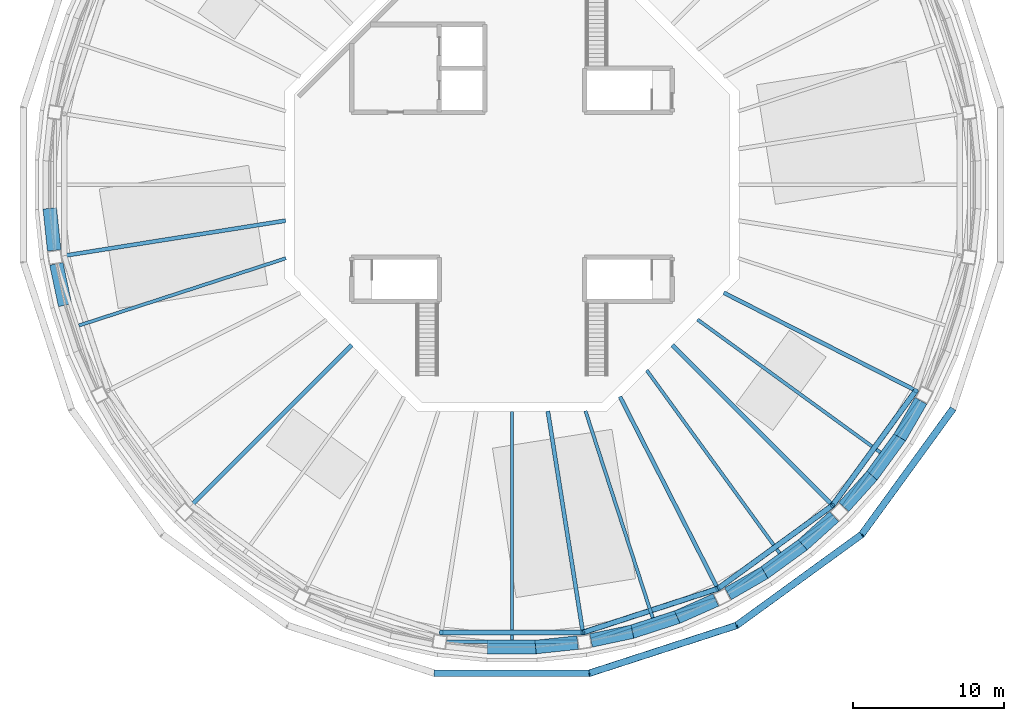
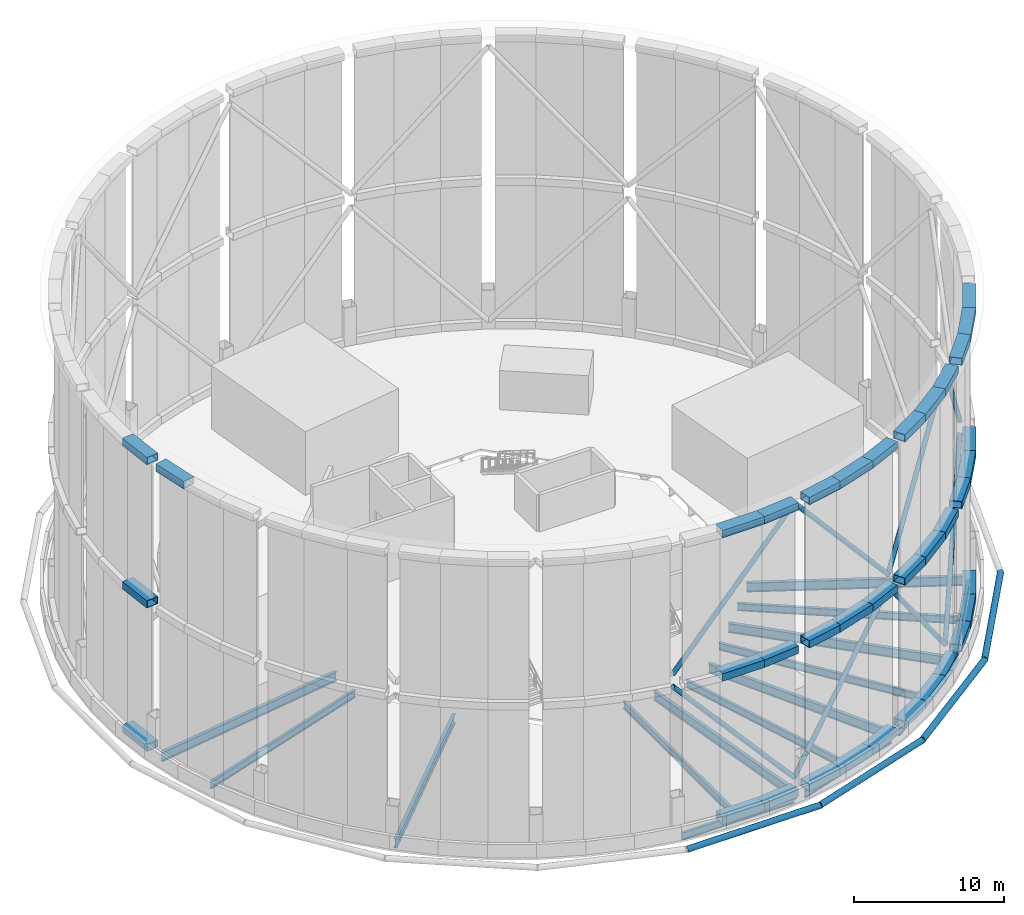
# One storey, part 2 of 11: 52 beams, 12 members.
"""IFC4 building model written with IfcOpenShell, lengths in metres."""

from ifc_helpers import new_model, si_unit, direction, frame, origin, origin_2d, place, context, subcontext, project, spatial, hollow_rectangle, circle, hollow_circle, i_section, extrude, material, material_profile, profile_set, type_object, element, save


model = new_model("IFC4")

# Units and contexts
model_context = context("Model", 3, precision=1e-05, world=origin(), true_north=direction((0.0, 1.0)))
body_context = subcontext(model_context, "Body", "Model", "MODEL_VIEW")
ifc_project = project(units=[si_unit("LENGTHUNIT", "METRE"), si_unit("AREAUNIT", "SQUARE_METRE"), si_unit("VOLUMEUNIT", "CUBIC_METRE"), si_unit("PLANEANGLEUNIT", "RADIAN"), si_unit("MASSUNIT", "GRAM", prefix="KILO")], contexts=[model_context])

# Site, building, storey
site_placement = place(None, origin())
site = spatial("IfcSite", under=ifc_project, at=site_placement, CompositionType="ELEMENT")
building_placement = place(site_placement, origin())
building = spatial("IfcBuilding", under=site, at=building_placement, Name="Entoto Ring Tower", CompositionType="ELEMENT")
storey_placement = place(building_placement, frame((0.0, 0.0, 415.0)))
storey = spatial("IfcBuildingStorey", under=building, at=storey_placement, Name="ROOF", CompositionType="ELEMENT", Elevation=415.0)

# Members
ifc_material_1 = material(Name="Steel S355", Category="steel")
ifc_material_profile_1 = material_profile(ifc_material_1, hollow_circle(Radius=0.177490234375, WallThickness=0.01611328125, at=origin_2d()), Name="Crown frame brace 355.6 x 16 mm tube")
ifc_profile_set_1 = profile_set([ifc_material_profile_1], Name="Steel S355")
member_type_1 = type_object("IfcMemberType", Name="Crown frame brace 355.6 x 16 mm tube", PredefinedType="BRACE", material=ifc_profile_set_1)
member_1_placement = place(storey_placement, frame((85.310791015625, 50.39404296875, 11.5), z_axis=(0.659139705863, 0.0, -0.752020510461), x_axis=(0.0, 1.0, 0.0)))
element("IfcMember", 1, at=member_1_placement, inside=storey, type_object=member_type_1, Name="CROWN FRAME BRACE 1-15", PredefinedType="BRACE", context=body_context, shape_type="SweptSolid", body=[
    extrude(hollow_circle(Radius=0.177490234375, WallThickness=0.01611328125, at=origin_2d()), origin(), (0.0, 0.0, 1.0), 14.228271484375),
])
member_2_placement = place(storey_placement, frame((94.689208984375, 50.39404296875, 0.800048828125), z_axis=(0.626871162261, 0.203677789835, 0.752029190825), x_axis=(-0.309010136024, 0.951058744681, 0.0)))
element("IfcMember", 2, at=member_2_placement, inside=storey, type_object=member_type_1, Name="CROWN FRAME BRACE 1-16", PredefinedType="BRACE", context=body_context, shape_type="SweptSolid", body=[
    extrude(hollow_circle(Radius=0.177490234375, WallThickness=0.01611328125, at=origin_2d()), origin(), (0.0, 0.0, 1.0), 14.22802734375),
])
for number, where, z_axis, x_axis, name in (
    (3, (103.6083984375, 53.2919921875, 11.5), (0.533248763598, 0.387431986141, -0.752025406643), (-0.587789305023, 0.809014049878, 0.0), "CROWN FRAME BRACE 1-17"),
    (4, (111.195556640625, 58.804443359375, 0.800048828125), (0.387431986141, 0.533248763598, 0.752025406643), (-0.809014049878, 0.587789305023, 0.0), "CROWN FRAME BRACE 1-18"),
    (5, (85.310791015625, 50.39404296875, 12.5), (0.659139705863, 0.0, 0.752020510461), (0.0, 1.0, 0.0), "CROWN FRAME BRACE 2-15"),
):
    element("IfcMember", number, at=place(storey_placement, frame(where, z_axis=z_axis, x_axis=x_axis)), inside=storey, type_object=member_type_1, Name=name, PredefinedType="BRACE", context=body_context, shape_type="SweptSolid", body=[
        extrude(hollow_circle(Radius=0.177490234375, WallThickness=0.01611328125, at=origin_2d()), origin(), (0.0, 0.0, 1.0), 14.228271484375),
    ])
member_3_placement = place(storey_placement, frame((94.689208984375, 50.39404296875, 23.199951171875), z_axis=(0.626871162261, 0.203677789835, -0.752029190825), x_axis=(-0.309010136024, 0.951058744681, 0.0)))
element("IfcMember", 6, at=member_3_placement, inside=storey, type_object=member_type_1, Name="CROWN FRAME BRACE 2-16", PredefinedType="BRACE", context=body_context, shape_type="SweptSolid", body=[
    extrude(hollow_circle(Radius=0.177490234375, WallThickness=0.01611328125, at=origin_2d()), origin(), (0.0, 0.0, 1.0), 14.22802734375),
])
for number, where, z_axis, x_axis, name in (
    (7, (103.6083984375, 53.2919921875, 12.5), (0.533248763598, 0.387431986141, 0.752025406643), (-0.587789305023, 0.809014049878, 0.0), "CROWN FRAME BRACE 2-17"),
    (8, (111.195556640625, 58.804443359375, 23.199951171875), (0.387431986141, 0.533248763598, -0.752025406643), (-0.809014049878, 0.587789305023, 0.0), "CROWN FRAME BRACE 2-18"),
):
    element("IfcMember", number, at=place(storey_placement, frame(where, z_axis=z_axis, x_axis=x_axis)), inside=storey, type_object=member_type_1, Name=name, PredefinedType="BRACE", context=body_context, shape_type="SweptSolid", body=[
        extrude(hollow_circle(Radius=0.177490234375, WallThickness=0.01611328125, at=origin_2d()), origin(), (0.0, 0.0, 1.0), 14.228271484375),
    ])

# Beams
ifc_material_2 = material(Name="Steel S355", Category="steel")
ifc_material_profile_2 = material_profile(ifc_material_2, hollow_rectangle(XDim=0.89990234375, YDim=0.60009765625, WallThickness=0.0400390625, at=origin_2d()), Name="Crown frame ring beam 900 x 600 x 40 mm")
ifc_profile_set_2 = profile_set([ifc_material_profile_2], Name="Steel S355")
beam_type_1 = type_object("IfcBeamType", Name="Crown frame ring beam 900 x 600 x 40 mm", PredefinedType="BEAM", material=ifc_profile_set_2)
beam_1_placement = place(storey_placement, frame((59.4375, 78.44189453125, 0.300048828125), z_axis=(0.104498462309, -0.994525048139, 0.0), x_axis=(0.994525048139, 0.104498462309, 0.0)))
element("IfcBeam", 9, at=beam_1_placement, inside=storey, type_object=beam_type_1, Name="CROWN FRAME BOTTOM RING 29", PredefinedType="BEAM", context=body_context, shape_type="SweptSolid", body=[
    extrude(hollow_rectangle(XDim=0.89990234375, YDim=0.60009765625, WallThickness=0.0400390625, at=origin_2d()), origin(), (0.0, 0.0, 1.0), 2.796630859375),
])
beam_2_placement = place(storey_placement, frame((88.35498046875, 49.44189453125, 0.300048828125), z_axis=(1.0, 0.0, 0.0), x_axis=(0.0, 1.0, 0.0)))
element("IfcBeam", 10, at=beam_2_placement, inside=storey, type_object=beam_type_1, Name="CROWN FRAME BOTTOM RING 43", PredefinedType="BEAM", context=body_context, shape_type="SweptSolid", body=[
    extrude(hollow_rectangle(XDim=0.89990234375, YDim=0.60009765625, WallThickness=0.0400390625, at=origin_2d()), origin(), (0.0, 0.0, 1.0), 3.2900390625),
])
beam_3_placement = place(storey_placement, frame((91.55810546875, 49.4375, 0.300048828125), z_axis=(0.994525048139, 0.104498462309, 0.0), x_axis=(-0.104498462309, 0.994525048139, 0.0)))
element("IfcBeam", 11, at=beam_3_placement, inside=storey, type_object=beam_type_1, Name="CROWN FRAME BOTTOM RING 44", PredefinedType="BEAM", context=body_context, shape_type="SweptSolid", body=[
    extrude(hollow_rectangle(XDim=0.89990234375, YDim=0.60009765625, WallThickness=0.0400390625, at=origin_2d()), origin(), (0.0, 0.0, 1.0), 2.796630859375),
])
beam_4_placement = place(storey_placement, frame((95.22705078125, 49.870361328125, 0.300048828125), z_axis=(0.978156188249, 0.207871285632, 0.0), x_axis=(-0.207871285632, 0.978156188249, 0.0)))
element("IfcBeam", 12, at=beam_4_placement, inside=storey, type_object=beam_type_1, Name="CROWN FRAME BOTTOM RING 45", PredefinedType="BEAM", context=body_context, shape_type="SweptSolid", body=[
    extrude(hollow_rectangle(XDim=0.89990234375, YDim=0.60009765625, WallThickness=0.0400390625, at=origin_2d()), origin(), (0.0, 0.0, 1.0), 2.79638671875),
])
beam_5_placement = place(storey_placement, frame((97.87841796875, 50.42919921875, 0.300048828125), z_axis=(0.951067326899, 0.308983720778, 0.0), x_axis=(-0.308983720778, 0.951067326899, 0.0)))
element("IfcBeam", 13, at=beam_5_placement, inside=storey, type_object=beam_type_1, Name="CROWN FRAME BOTTOM RING 46", PredefinedType="BEAM", context=body_context, shape_type="SweptSolid", body=[
    extrude(hollow_rectangle(XDim=0.89990234375, YDim=0.60009765625, WallThickness=0.0400390625, at=origin_2d()), origin(), (0.0, 0.0, 1.0), 3.2900390625),
])
for number, where, z_axis, x_axis, name in (
    (14, (100.92626953125, 51.414794921875, 0.300048828125), (0.913541336583, 0.406745899001, 0.0), (-0.406745899001, 0.913541336583, 0.0), "CROWN FRAME BOTTOM RING 47"),
    (15, (104.28173828125, 52.960205078125, 0.300048828125), (0.866037299004, 0.49997939631, 0.0), (-0.49997939631, 0.866037299004, 0.0), "CROWN FRAME BOTTOM RING 48"),
):
    element("IfcBeam", number, at=place(storey_placement, frame(where, z_axis=z_axis, x_axis=x_axis)), inside=storey, type_object=beam_type_1, Name=name, PredefinedType="BEAM", context=body_context, shape_type="SweptSolid", body=[
        extrude(hollow_rectangle(XDim=0.89990234375, YDim=0.60009765625, WallThickness=0.0400390625, at=origin_2d()), origin(), (0.0, 0.0, 1.0), 2.79638671875),
    ])
beam_6_placement = place(storey_placement, frame((106.630615234375, 54.31103515625, 0.300048828125), z_axis=(0.809034396265, 0.5877612999, 0.0), x_axis=(-0.5877612999, 0.809034396265, 0.0)))
element("IfcBeam", 16, at=beam_6_placement, inside=storey, type_object=beam_type_1, Name="CROWN FRAME BOTTOM RING 49", PredefinedType="BEAM", context=body_context, shape_type="SweptSolid", body=[
    extrude(hollow_rectangle(XDim=0.89990234375, YDim=0.60009765625, WallThickness=0.0400390625, at=origin_2d()), origin(), (0.0, 0.0, 1.0), 3.290283203125),
])
for number, where, z_axis, x_axis, name in (
    (17, (109.224853515625, 56.190185546875, 0.300048828125), (0.743111798031, 0.669167285234, 0.0), (-0.669167285234, 0.743111798031, 0.0), "CROWN FRAME BOTTOM RING 50"),
    (18, (111.9384765625, 58.697021484375, 0.300048828125), (0.669167285234, 0.743111798031, 0.0), (-0.743111798031, 0.669167285234, 0.0), "CROWN FRAME BOTTOM RING 51"),
):
    element("IfcBeam", number, at=place(storey_placement, frame(where, z_axis=z_axis, x_axis=x_axis)), inside=storey, type_object=beam_type_1, Name=name, PredefinedType="BEAM", context=body_context, shape_type="SweptSolid", body=[
        extrude(hollow_rectangle(XDim=0.89990234375, YDim=0.60009765625, WallThickness=0.0400390625, at=origin_2d()), origin(), (0.0, 0.0, 1.0), 2.796630859375),
    ])
beam_7_placement = place(storey_placement, frame((113.755126953125, 60.70751953125, 0.300048828125), z_axis=(0.5877612999, 0.809034396265, 0.0), x_axis=(-0.809034396265, 0.5877612999, 0.0)))
element("IfcBeam", 19, at=beam_7_placement, inside=storey, type_object=beam_type_1, Name="CROWN FRAME BOTTOM RING 52", PredefinedType="BEAM", context=body_context, shape_type="SweptSolid", body=[
    extrude(hollow_rectangle(XDim=0.89990234375, YDim=0.60009765625, WallThickness=0.0400390625, at=origin_2d()), origin(), (0.0, 0.0, 1.0), 3.290283203125),
])
beam_8_placement = place(storey_placement, frame((115.6416015625, 63.29638671875, 0.300048828125), z_axis=(0.49997939631, 0.866037299004, 0.0), x_axis=(-0.866037299004, 0.49997939631, 0.0)))
element("IfcBeam", 20, at=beam_8_placement, inside=storey, type_object=beam_type_1, Name="CROWN FRAME BOTTOM RING 53", PredefinedType="BEAM", context=body_context, shape_type="SweptSolid", body=[
    extrude(hollow_rectangle(XDim=0.89990234375, YDim=0.60009765625, WallThickness=0.0400390625, at=origin_2d()), origin(), (0.0, 0.0, 1.0), 2.79638671875),
])
beam_9_placement = place(storey_placement, frame((59.4375, 78.44189453125, 12.0), z_axis=(0.104498462309, -0.994525048139, 0.0), x_axis=(0.994525048139, 0.104498462309, 0.0)))
element("IfcBeam", 21, at=beam_9_placement, inside=storey, type_object=beam_type_1, Name="CROWN FRAME MIDDLE RING 29", PredefinedType="BEAM", context=body_context, shape_type="SweptSolid", body=[
    extrude(hollow_rectangle(XDim=0.89990234375, YDim=0.60009765625, WallThickness=0.0400390625, at=origin_2d()), origin(), (0.0, 0.0, 1.0), 2.796630859375),
])
beam_10_placement = place(storey_placement, frame((88.35498046875, 49.44189453125, 12.0), z_axis=(1.0, 0.0, 0.0), x_axis=(0.0, 1.0, 0.0)))
element("IfcBeam", 22, at=beam_10_placement, inside=storey, type_object=beam_type_1, Name="CROWN FRAME MIDDLE RING 43", PredefinedType="BEAM", context=body_context, shape_type="SweptSolid", body=[
    extrude(hollow_rectangle(XDim=0.89990234375, YDim=0.60009765625, WallThickness=0.0400390625, at=origin_2d()), origin(), (0.0, 0.0, 1.0), 3.2900390625),
])
beam_11_placement = place(storey_placement, frame((91.55810546875, 49.4375, 12.0), z_axis=(0.994525048139, 0.104498462309, 0.0), x_axis=(-0.104498462309, 0.994525048139, 0.0)))
element("IfcBeam", 23, at=beam_11_placement, inside=storey, type_object=beam_type_1, Name="CROWN FRAME MIDDLE RING 44", PredefinedType="BEAM", context=body_context, shape_type="SweptSolid", body=[
    extrude(hollow_rectangle(XDim=0.89990234375, YDim=0.60009765625, WallThickness=0.0400390625, at=origin_2d()), origin(), (0.0, 0.0, 1.0), 2.796630859375),
])
beam_12_placement = place(storey_placement, frame((95.22705078125, 49.870361328125, 12.0), z_axis=(0.978156188249, 0.207871285632, 0.0), x_axis=(-0.207871285632, 0.978156188249, 0.0)))
element("IfcBeam", 24, at=beam_12_placement, inside=storey, type_object=beam_type_1, Name="CROWN FRAME MIDDLE RING 45", PredefinedType="BEAM", context=body_context, shape_type="SweptSolid", body=[
    extrude(hollow_rectangle(XDim=0.89990234375, YDim=0.60009765625, WallThickness=0.0400390625, at=origin_2d()), origin(), (0.0, 0.0, 1.0), 2.79638671875),
])
beam_13_placement = place(storey_placement, frame((97.87841796875, 50.42919921875, 12.0), z_axis=(0.951067326899, 0.308983720778, 0.0), x_axis=(-0.308983720778, 0.951067326899, 0.0)))
element("IfcBeam", 25, at=beam_13_placement, inside=storey, type_object=beam_type_1, Name="CROWN FRAME MIDDLE RING 46", PredefinedType="BEAM", context=body_context, shape_type="SweptSolid", body=[
    extrude(hollow_rectangle(XDim=0.89990234375, YDim=0.60009765625, WallThickness=0.0400390625, at=origin_2d()), origin(), (0.0, 0.0, 1.0), 3.2900390625),
])
for number, where, z_axis, x_axis, name in (
    (26, (100.92626953125, 51.414794921875, 12.0), (0.913541336583, 0.406745899001, 0.0), (-0.406745899001, 0.913541336583, 0.0), "CROWN FRAME MIDDLE RING 47"),
    (27, (104.28173828125, 52.960205078125, 12.0), (0.866037299004, 0.49997939631, 0.0), (-0.49997939631, 0.866037299004, 0.0), "CROWN FRAME MIDDLE RING 48"),
):
    element("IfcBeam", number, at=place(storey_placement, frame(where, z_axis=z_axis, x_axis=x_axis)), inside=storey, type_object=beam_type_1, Name=name, PredefinedType="BEAM", context=body_context, shape_type="SweptSolid", body=[
        extrude(hollow_rectangle(XDim=0.89990234375, YDim=0.60009765625, WallThickness=0.0400390625, at=origin_2d()), origin(), (0.0, 0.0, 1.0), 2.79638671875),
    ])
beam_14_placement = place(storey_placement, frame((106.630615234375, 54.31103515625, 12.0), z_axis=(0.809034396265, 0.5877612999, 0.0), x_axis=(-0.5877612999, 0.809034396265, 0.0)))
element("IfcBeam", 28, at=beam_14_placement, inside=storey, type_object=beam_type_1, Name="CROWN FRAME MIDDLE RING 49", PredefinedType="BEAM", context=body_context, shape_type="SweptSolid", body=[
    extrude(hollow_rectangle(XDim=0.89990234375, YDim=0.60009765625, WallThickness=0.0400390625, at=origin_2d()), origin(), (0.0, 0.0, 1.0), 3.290283203125),
])
for number, where, z_axis, x_axis, name in (
    (29, (109.224853515625, 56.190185546875, 12.0), (0.743111798031, 0.669167285234, 0.0), (-0.669167285234, 0.743111798031, 0.0), "CROWN FRAME MIDDLE RING 50"),
    (30, (111.9384765625, 58.697021484375, 12.0), (0.669167285234, 0.743111798031, 0.0), (-0.743111798031, 0.669167285234, 0.0), "CROWN FRAME MIDDLE RING 51"),
):
    element("IfcBeam", number, at=place(storey_placement, frame(where, z_axis=z_axis, x_axis=x_axis)), inside=storey, type_object=beam_type_1, Name=name, PredefinedType="BEAM", context=body_context, shape_type="SweptSolid", body=[
        extrude(hollow_rectangle(XDim=0.89990234375, YDim=0.60009765625, WallThickness=0.0400390625, at=origin_2d()), origin(), (0.0, 0.0, 1.0), 2.796630859375),
    ])
beam_15_placement = place(storey_placement, frame((113.755126953125, 60.70751953125, 12.0), z_axis=(0.5877612999, 0.809034396265, 0.0), x_axis=(-0.809034396265, 0.5877612999, 0.0)))
element("IfcBeam", 31, at=beam_15_placement, inside=storey, type_object=beam_type_1, Name="CROWN FRAME MIDDLE RING 52", PredefinedType="BEAM", context=body_context, shape_type="SweptSolid", body=[
    extrude(hollow_rectangle(XDim=0.89990234375, YDim=0.60009765625, WallThickness=0.0400390625, at=origin_2d()), origin(), (0.0, 0.0, 1.0), 3.290283203125),
])
beam_16_placement = place(storey_placement, frame((115.6416015625, 63.29638671875, 12.0), z_axis=(0.49997939631, 0.866037299004, 0.0), x_axis=(-0.866037299004, 0.49997939631, 0.0)))
element("IfcBeam", 32, at=beam_16_placement, inside=storey, type_object=beam_type_1, Name="CROWN FRAME MIDDLE RING 53", PredefinedType="BEAM", context=body_context, shape_type="SweptSolid", body=[
    extrude(hollow_rectangle(XDim=0.89990234375, YDim=0.60009765625, WallThickness=0.0400390625, at=origin_2d()), origin(), (0.0, 0.0, 1.0), 2.79638671875),
])
beam_17_placement = place(storey_placement, frame((59.4375, 78.44189453125, 23.699951171875), z_axis=(0.104498462309, -0.994525048139, 0.0), x_axis=(0.994525048139, 0.104498462309, 0.0)))
element("IfcBeam", 33, at=beam_17_placement, inside=storey, type_object=beam_type_1, Name="CROWN FRAME TOP RING 29", PredefinedType="BEAM", context=body_context, shape_type="SweptSolid", body=[
    extrude(hollow_rectangle(XDim=0.89990234375, YDim=0.60009765625, WallThickness=0.0400390625, at=origin_2d()), origin(), (0.0, 0.0, 1.0), 2.796630859375),
])
beam_18_placement = place(storey_placement, frame((59.870361328125, 74.77294921875, 23.699951171875), z_axis=(0.207871285632, -0.978156188249, 0.0), x_axis=(0.978156188249, 0.207871285632, 0.0)))
element("IfcBeam", 34, at=beam_18_placement, inside=storey, type_object=beam_type_1, Name="CROWN FRAME TOP RING 30", PredefinedType="BEAM", context=body_context, shape_type="SweptSolid", body=[
    extrude(hollow_rectangle(XDim=0.89990234375, YDim=0.60009765625, WallThickness=0.0400390625, at=origin_2d()), origin(), (0.0, 0.0, 1.0), 2.79638671875),
])
beam_19_placement = place(storey_placement, frame((88.35498046875, 49.44189453125, 23.699951171875), z_axis=(1.0, 0.0, 0.0), x_axis=(0.0, 1.0, 0.0)))
element("IfcBeam", 35, at=beam_19_placement, inside=storey, type_object=beam_type_1, Name="CROWN FRAME TOP RING 43", PredefinedType="BEAM", context=body_context, shape_type="SweptSolid", body=[
    extrude(hollow_rectangle(XDim=0.89990234375, YDim=0.60009765625, WallThickness=0.0400390625, at=origin_2d()), origin(), (0.0, 0.0, 1.0), 3.2900390625),
])
beam_20_placement = place(storey_placement, frame((91.55810546875, 49.4375, 23.699951171875), z_axis=(0.994525048139, 0.104498462309, 0.0), x_axis=(-0.104498462309, 0.994525048139, 0.0)))
element("IfcBeam", 36, at=beam_20_placement, inside=storey, type_object=beam_type_1, Name="CROWN FRAME TOP RING 44", PredefinedType="BEAM", context=body_context, shape_type="SweptSolid", body=[
    extrude(hollow_rectangle(XDim=0.89990234375, YDim=0.60009765625, WallThickness=0.0400390625, at=origin_2d()), origin(), (0.0, 0.0, 1.0), 2.796630859375),
])
beam_21_placement = place(storey_placement, frame((95.22705078125, 49.870361328125, 23.699951171875), z_axis=(0.978156188249, 0.207871285632, 0.0), x_axis=(-0.207871285632, 0.978156188249, 0.0)))
element("IfcBeam", 37, at=beam_21_placement, inside=storey, type_object=beam_type_1, Name="CROWN FRAME TOP RING 45", PredefinedType="BEAM", context=body_context, shape_type="SweptSolid", body=[
    extrude(hollow_rectangle(XDim=0.89990234375, YDim=0.60009765625, WallThickness=0.0400390625, at=origin_2d()), origin(), (0.0, 0.0, 1.0), 2.79638671875),
])
beam_22_placement = place(storey_placement, frame((97.87841796875, 50.42919921875, 23.699951171875), z_axis=(0.951067326899, 0.308983720778, 0.0), x_axis=(-0.308983720778, 0.951067326899, 0.0)))
element("IfcBeam", 38, at=beam_22_placement, inside=storey, type_object=beam_type_1, Name="CROWN FRAME TOP RING 46", PredefinedType="BEAM", context=body_context, shape_type="SweptSolid", body=[
    extrude(hollow_rectangle(XDim=0.89990234375, YDim=0.60009765625, WallThickness=0.0400390625, at=origin_2d()), origin(), (0.0, 0.0, 1.0), 3.2900390625),
])
for number, where, z_axis, x_axis, name in (
    (39, (100.92626953125, 51.414794921875, 23.699951171875), (0.913541336583, 0.406745899001, 0.0), (-0.406745899001, 0.913541336583, 0.0), "CROWN FRAME TOP RING 47"),
    (40, (104.28173828125, 52.960205078125, 23.699951171875), (0.866037299004, 0.49997939631, 0.0), (-0.49997939631, 0.866037299004, 0.0), "CROWN FRAME TOP RING 48"),
):
    element("IfcBeam", number, at=place(storey_placement, frame(where, z_axis=z_axis, x_axis=x_axis)), inside=storey, type_object=beam_type_1, Name=name, PredefinedType="BEAM", context=body_context, shape_type="SweptSolid", body=[
        extrude(hollow_rectangle(XDim=0.89990234375, YDim=0.60009765625, WallThickness=0.0400390625, at=origin_2d()), origin(), (0.0, 0.0, 1.0), 2.79638671875),
    ])
beam_23_placement = place(storey_placement, frame((106.630615234375, 54.31103515625, 23.699951171875), z_axis=(0.809034396265, 0.5877612999, 0.0), x_axis=(-0.5877612999, 0.809034396265, 0.0)))
element("IfcBeam", 41, at=beam_23_placement, inside=storey, type_object=beam_type_1, Name="CROWN FRAME TOP RING 49", PredefinedType="BEAM", context=body_context, shape_type="SweptSolid", body=[
    extrude(hollow_rectangle(XDim=0.89990234375, YDim=0.60009765625, WallThickness=0.0400390625, at=origin_2d()), origin(), (0.0, 0.0, 1.0), 3.290283203125),
])
for number, where, z_axis, x_axis, name in (
    (42, (109.224853515625, 56.190185546875, 23.699951171875), (0.743111798031, 0.669167285234, 0.0), (-0.669167285234, 0.743111798031, 0.0), "CROWN FRAME TOP RING 50"),
    (43, (111.9384765625, 58.697021484375, 23.699951171875), (0.669167285234, 0.743111798031, 0.0), (-0.743111798031, 0.669167285234, 0.0), "CROWN FRAME TOP RING 51"),
):
    element("IfcBeam", number, at=place(storey_placement, frame(where, z_axis=z_axis, x_axis=x_axis)), inside=storey, type_object=beam_type_1, Name=name, PredefinedType="BEAM", context=body_context, shape_type="SweptSolid", body=[
        extrude(hollow_rectangle(XDim=0.89990234375, YDim=0.60009765625, WallThickness=0.0400390625, at=origin_2d()), origin(), (0.0, 0.0, 1.0), 2.796630859375),
    ])
beam_24_placement = place(storey_placement, frame((113.755126953125, 60.70751953125, 23.699951171875), z_axis=(0.5877612999, 0.809034396265, 0.0), x_axis=(-0.809034396265, 0.5877612999, 0.0)))
element("IfcBeam", 44, at=beam_24_placement, inside=storey, type_object=beam_type_1, Name="CROWN FRAME TOP RING 52", PredefinedType="BEAM", context=body_context, shape_type="SweptSolid", body=[
    extrude(hollow_rectangle(XDim=0.89990234375, YDim=0.60009765625, WallThickness=0.0400390625, at=origin_2d()), origin(), (0.0, 0.0, 1.0), 3.290283203125),
])
beam_25_placement = place(storey_placement, frame((115.6416015625, 63.29638671875, 23.699951171875), z_axis=(0.49997939631, 0.866037299004, 0.0), x_axis=(-0.866037299004, 0.49997939631, 0.0)))
element("IfcBeam", 45, at=beam_25_placement, inside=storey, type_object=beam_type_1, Name="CROWN FRAME TOP RING 53", PredefinedType="BEAM", context=body_context, shape_type="SweptSolid", body=[
    extrude(hollow_rectangle(XDim=0.89990234375, YDim=0.60009765625, WallThickness=0.0400390625, at=origin_2d()), origin(), (0.0, 0.0, 1.0), 2.79638671875),
])

# Members
ifc_material_3 = material(Name="Steel S355", Category="steel")
ifc_material_profile_3 = material_profile(ifc_material_3, hollow_circle(Radius=0.228515625, WallThickness=0.02001953125, at=origin_2d()), Name="CHS 457 x 20")
ifc_material_4 = material(Name="Concrete C60/75", Category="concrete")
ifc_material_profile_4 = material_profile(ifc_material_4, circle(Radius=0.20849609375, at=origin_2d()), Name="Concrete C60/75 infill")
ifc_profile_set_3 = profile_set([ifc_material_profile_3, ifc_material_profile_4], Name="Steel S355")
member_type_2 = type_object("IfcMemberType", Name="Diagrid ring beam 457 x 20", PredefinedType="CHORD", material=ifc_profile_set_3)
member_4_placement = place(storey_placement, frame((84.828369140625, 47.70263671875, 0.0), z_axis=(1.0, 0.0, 0.0), x_axis=(0.0, 1.0, 0.0)))
element("IfcMember", 46, at=member_4_placement, inside=storey, type_object=member_type_2, Name="DR3 ring 30 15", PredefinedType="CHORD", context=body_context, shape_type="SweptSolid", body=[
    extrude(hollow_circle(Radius=0.228515625, WallThickness=0.02001953125, at=origin_2d()), origin(), (0.0, 0.0, 1.0), 10.34326171875),
])
member_5_placement = place(storey_placement, frame((95.06201171875, 47.685302734375, 0.0), z_axis=(0.951061125206, 0.309002809244, 0.0), x_axis=(-0.309002809244, 0.951061125206, 0.0)))
element("IfcMember", 47, at=member_5_placement, inside=storey, type_object=member_type_2, Name="DR3 ring 30 16", PredefinedType="CHORD", context=body_context, shape_type="SweptSolid", body=[
    extrude(hollow_circle(Radius=0.228515625, WallThickness=0.02001953125, at=origin_2d()), origin(), (0.0, 0.0, 1.0), 10.343017578125),
])
for number, where, z_axis, x_axis, name in (
    (48, (104.800048828125, 50.8310546875, 0.0), (0.809019745966, 0.587781465034, 0.0), (-0.587781465034, 0.809019745966, 0.0), "DR3 ring 30 17"),
    (49, (113.08935546875, 56.83203125, 0.0), (0.587781465034, 0.809019745966, 0.0), (-0.809019745966, 0.587781465034, 0.0), "DR3 ring 30 18"),
):
    element("IfcMember", number, at=place(storey_placement, frame(where, z_axis=z_axis, x_axis=x_axis)), inside=storey, type_object=member_type_2, Name=name, PredefinedType="CHORD", context=body_context, shape_type="SweptSolid", body=[
        extrude(hollow_circle(Radius=0.228515625, WallThickness=0.02001953125, at=origin_2d()), origin(), (0.0, 0.0, 1.0), 10.34326171875),
    ])

# Beams
ifc_material_5 = material(Name="Steel S355", Category="steel")
ifc_material_profile_5 = material_profile(ifc_material_5, i_section(OverallWidth=0.219970703125, OverallDepth=0.60009765625, WebThickness=0.011962890625, FlangeThickness=0.01904296875, FilletRadius=0.02392578125, at=origin_2d()), Name="IPE 600")
ifc_profile_set_4 = profile_set([ifc_material_profile_5], Name="Steel S355")
beam_type_2 = type_object("IfcBeamType", Name="Edge beam IPE 600", PredefinedType="SPANDREL", material=ifc_profile_set_4)
beam_26_placement = place(storey_placement, frame((85.680908203125, 49.77685546875, -0.449951171875), z_axis=(1.0, 0.0, 0.0), x_axis=(0.0, 1.0, 0.0)))
element("IfcBeam", 50, at=beam_26_placement, inside=storey, type_object=beam_type_2, Name="Edge beam ROOF 15", PredefinedType="SPANDREL", context=body_context, shape_type="SweptSolid", body=[
    extrude(i_section(OverallWidth=0.219970703125, OverallDepth=0.60009765625, WebThickness=0.011962890625, FlangeThickness=0.01904296875, FilletRadius=0.02392578125, at=origin_2d()), origin(), (0.0, 0.0, 1.0), 8.63818359375),
])
for number, where, z_axis, x_axis, name in (
    (51, (95.231689453125, 49.921142578125, -0.449951171875), (0.951055458907, 0.309020248661, 0.0), (-0.309020248661, 0.951055458907, 0.0), "Edge beam ROOF 16"),
    (52, (104.2705078125, 53.010009765625, -0.449951171875), (0.809007315996, 0.587798573208, 0.0), (-0.587798573208, 0.809007315996, 0.0), "Edge beam ROOF 17"),
    (53, (111.912353515625, 58.740966796875, -0.449951171875), (0.587798573208, 0.809007315996, 0.0), (-0.809007315996, 0.587798573208, 0.0), "Edge beam ROOF 18"),
):
    element("IfcBeam", number, at=place(storey_placement, frame(where, z_axis=z_axis, x_axis=x_axis)), inside=storey, type_object=beam_type_2, Name=name, PredefinedType="SPANDREL", context=body_context, shape_type="SweptSolid", body=[
        extrude(i_section(OverallWidth=0.219970703125, OverallDepth=0.60009765625, WebThickness=0.011962890625, FlangeThickness=0.01904296875, FilletRadius=0.02392578125, at=origin_2d()), origin(), (0.0, 0.0, 1.0), 8.638427734375),
    ])
ifc_material_6 = material(Name="Steel S355", Category="steel")
ifc_material_profile_6 = material_profile(ifc_material_6, i_section(OverallWidth=0.262939453125, OverallDepth=0.7529296875, WebThickness=0.011474609375, FlangeThickness=0.01708984375, FilletRadius=0.01708984375, at=origin_2d()), Name="IPE 750 x 137")
ifc_profile_set_5 = profile_set([ifc_material_profile_6], Name="Steel S355")
beam_type_3 = type_object("IfcBeamType", Name="Primary floor beam IPE 750 x 137", PredefinedType="BEAM", material=ifc_profile_set_5)
beam_27_placement = place(storey_placement, frame((75.040283203125, 77.630615234375, -0.526611328125), z_axis=(-0.987687983091, -0.156436722214, 0.0), x_axis=(0.156436722214, -0.987687983091, 0.0)))
element("IfcBeam", 54, at=beam_27_placement, inside=storey, type_object=beam_type_3, Name="Primary ROOF R11", PredefinedType="BEAM", context=body_context, shape_type="SweptSolid", body=[
    extrude(i_section(OverallWidth=0.262939453125, OverallDepth=0.7529296875, WebThickness=0.011474609375, FlangeThickness=0.01708984375, FilletRadius=0.01708984375, at=origin_2d()), origin(), (0.0, 0.0, 1.0), 14.991455078125),
])
beam_28_placement = place(storey_placement, frame((79.407470703125, 69.407470703125, -0.526611328125), z_axis=(-0.707106781187, -0.707106781187, 0.0), x_axis=(0.707106781187, -0.707106781187, 0.0)))
element("IfcBeam", 55, at=beam_28_placement, inside=storey, type_object=beam_type_3, Name="Primary ROOF R13", PredefinedType="BEAM", context=body_context, shape_type="SweptSolid", body=[
    extrude(i_section(OverallWidth=0.262939453125, OverallDepth=0.7529296875, WebThickness=0.011474609375, FlangeThickness=0.01708984375, FilletRadius=0.01708984375, at=origin_2d()), origin(), (0.0, 0.0, 1.0), 15.157470703125),
])
beam_29_placement = place(storey_placement, frame((92.369384765625, 65.040283203125, -0.526611328125), z_axis=(0.156436722214, -0.987687983091, 0.0), x_axis=(0.987687983091, 0.156436722214, 0.0)))
element("IfcBeam", 56, at=beam_29_placement, inside=storey, type_object=beam_type_3, Name="Primary ROOF R16", PredefinedType="BEAM", context=body_context, shape_type="SweptSolid", body=[
    extrude(i_section(OverallWidth=0.262939453125, OverallDepth=0.7529296875, WebThickness=0.011474609375, FlangeThickness=0.01708984375, FilletRadius=0.01708984375, at=origin_2d()), origin(), (0.0, 0.0, 1.0), 14.991455078125),
])
beam_30_placement = place(storey_placement, frame((97.1318359375, 66.0029296875, -0.526611328125), z_axis=(0.453989403652, -0.891007082672, 0.0), x_axis=(0.891007082672, 0.453989403652, 0.0)))
element("IfcBeam", 57, at=beam_30_placement, inside=storey, type_object=beam_type_3, Name="Primary ROOF R17", PredefinedType="BEAM", context=body_context, shape_type="SweptSolid", body=[
    extrude(i_section(OverallWidth=0.262939453125, OverallDepth=0.7529296875, WebThickness=0.011474609375, FlangeThickness=0.01708984375, FilletRadius=0.01708984375, at=origin_2d()), origin(), (0.0, 0.0, 1.0), 14.42822265625),
])
beam_31_placement = place(storey_placement, frame((100.592529296875, 69.407470703125, -0.526611328125), z_axis=(0.707106781187, -0.707106781187, 0.0), x_axis=(0.707106781187, 0.707106781187, 0.0)))
element("IfcBeam", 58, at=beam_31_placement, inside=storey, type_object=beam_type_3, Name="Primary ROOF R18", PredefinedType="BEAM", context=body_context, shape_type="SweptSolid", body=[
    extrude(i_section(OverallWidth=0.262939453125, OverallDepth=0.7529296875, WebThickness=0.011474609375, FlangeThickness=0.01708984375, FilletRadius=0.01708984375, at=origin_2d()), origin(), (0.0, 0.0, 1.0), 15.157470703125),
])
beam_32_placement = place(storey_placement, frame((103.9970703125, 72.8681640625, -0.526611328125), z_axis=(0.891007082672, -0.453989403652, 0.0), x_axis=(0.453989403652, 0.891007082672, 0.0)))
element("IfcBeam", 59, at=beam_32_placement, inside=storey, type_object=beam_type_3, Name="Primary ROOF R19", PredefinedType="BEAM", context=body_context, shape_type="SweptSolid", body=[
    extrude(i_section(OverallWidth=0.262939453125, OverallDepth=0.7529296875, WebThickness=0.011474609375, FlangeThickness=0.01708984375, FilletRadius=0.01708984375, at=origin_2d()), origin(), (0.0, 0.0, 1.0), 14.42822265625),
])
ifc_material_7 = material(Name="Steel S355", Category="steel")
ifc_material_profile_7 = material_profile(ifc_material_7, i_section(OverallWidth=0.219970703125, OverallDepth=0.60009765625, WebThickness=0.011962890625, FlangeThickness=0.01904296875, FilletRadius=0.02392578125, at=origin_2d()), Name="IPE 600")
ifc_profile_set_6 = profile_set([ifc_material_profile_7], Name="Steel S355")
beam_type_4 = type_object("IfcBeamType", Name="Secondary floor beam IPE 600", PredefinedType="JOIST", material=ifc_profile_set_6)
beam_33_placement = place(storey_placement, frame((75.052978515625, 75.143310546875, -0.449951171875), z_axis=(-0.95106048451, -0.309004781199, 0.0), x_axis=(0.309004781199, -0.95106048451, 0.0)))
element("IfcBeam", 60, at=beam_33_placement, inside=storey, type_object=beam_type_4, Name="Secondary beam ROOF 11", PredefinedType="JOIST", context=body_context, shape_type="SweptSolid", body=[
    extrude(i_section(OverallWidth=0.219970703125, OverallDepth=0.60009765625, WebThickness=0.011962890625, FlangeThickness=0.01904296875, FilletRadius=0.02392578125, at=origin_2d()), origin(), (0.0, 0.0, 1.0), 14.39697265625),
])
beam_34_placement = place(storey_placement, frame((90.0, 65.02001953125, -0.449951171875), z_axis=(0.0, -1.0, 0.0), x_axis=(1.0, 0.0, 0.0)))
element("IfcBeam", 61, at=beam_34_placement, inside=storey, type_object=beam_type_4, Name="Secondary beam ROOF 15", PredefinedType="JOIST", context=body_context, shape_type="SweptSolid", body=[
    extrude(i_section(OverallWidth=0.219970703125, OverallDepth=0.60009765625, WebThickness=0.011962890625, FlangeThickness=0.01904296875, FilletRadius=0.02392578125, at=origin_2d()), origin(), (0.0, 0.0, 1.0), 15.13330078125),
])
beam_35_placement = place(storey_placement, frame((94.856689453125, 65.052978515625, -0.449951171875), z_axis=(0.309004781199, -0.95106048451, 0.0), x_axis=(0.95106048451, 0.309004781199, 0.0)))
element("IfcBeam", 62, at=beam_35_placement, inside=storey, type_object=beam_type_4, Name="Secondary beam ROOF 16", PredefinedType="JOIST", context=body_context, shape_type="SweptSolid", body=[
    extrude(i_section(OverallWidth=0.219970703125, OverallDepth=0.60009765625, WebThickness=0.011962890625, FlangeThickness=0.01904296875, FilletRadius=0.02392578125, at=origin_2d()), origin(), (0.0, 0.0, 1.0), 14.39697265625),
])
for number, where, z_axis, x_axis, name in (
    (63, (98.90478515625, 67.74365234375, -0.449951171875), (0.587789403642, -0.809013978227, 0.0), (0.809013978227, 0.587789403642, 0.0), "Secondary beam ROOF 17"),
    (64, (102.25634765625, 71.09521484375, -0.449951171875), (0.809013978227, -0.587789403642, 0.0), (0.587789403642, 0.809013978227, 0.0), "Secondary beam ROOF 18"),
):
    element("IfcBeam", number, at=place(storey_placement, frame(where, z_axis=z_axis, x_axis=x_axis)), inside=storey, type_object=beam_type_4, Name=name, PredefinedType="JOIST", context=body_context, shape_type="SweptSolid", body=[
        extrude(i_section(OverallWidth=0.219970703125, OverallDepth=0.60009765625, WebThickness=0.011962890625, FlangeThickness=0.01904296875, FilletRadius=0.02392578125, at=origin_2d()), origin(), (0.0, 0.0, 1.0), 14.963623046875),
    ])

save(model, "model.ifc")
